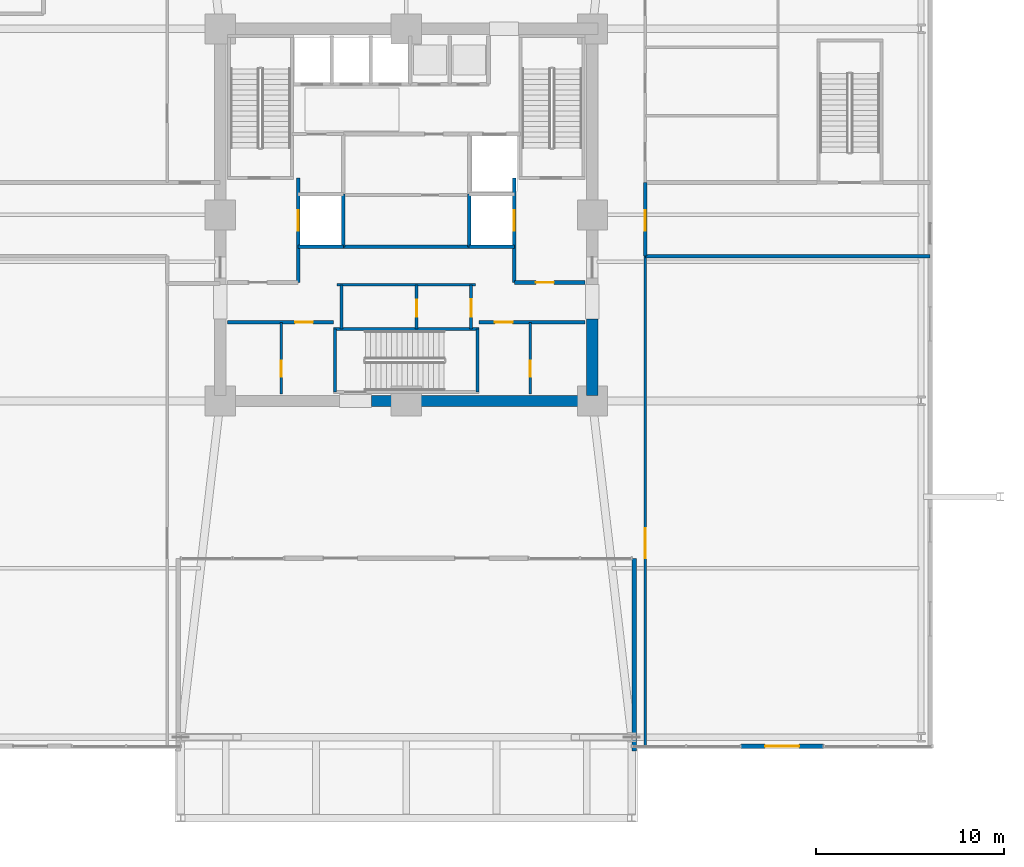
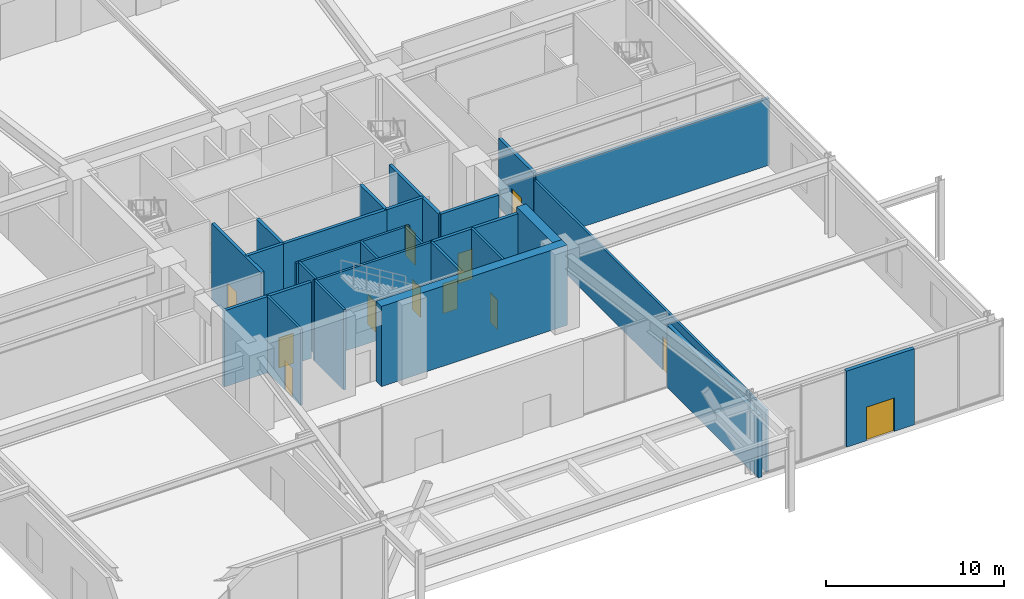
# One storey, part 18 of 24: 26 walls, 12 doors, 12 openings.
"""IFC4 building model written with IfcOpenShell, lengths in metres."""

from ifc_helpers import new_model, si_unit, direction, frame, frame_2d, origin, place, context, subcontext, project, spatial, rectangle, extrude, material, layer, layer_set, type_object, element, fill, save


model = new_model("IFC4")

# Units and contexts
model_context = context("Model", 3, precision=1e-05, world=origin(), true_north=direction((0.0, 1.0)))
body_context = subcontext(model_context, "Body", "Model", "MODEL_VIEW")
ifc_project = project(units=[si_unit("LENGTHUNIT", "METRE"), si_unit("AREAUNIT", "SQUARE_METRE"), si_unit("VOLUMEUNIT", "CUBIC_METRE"), si_unit("PLANEANGLEUNIT", "RADIAN"), si_unit("MASSUNIT", "GRAM", prefix="KILO")], contexts=[model_context])

# Site, building, storey
site_placement = place(None, origin())
site = spatial("IfcSite", under=ifc_project, at=site_placement, CompositionType="ELEMENT")
building_placement = place(site_placement, origin())
building = spatial("IfcBuilding", under=site, at=building_placement, Name="Kolvaren Belvedere", CompositionType="ELEMENT")
storey_placement = place(building_placement, origin())
storey = spatial("IfcBuildingStorey", under=building, at=storey_placement, Name="L01", CompositionType="ELEMENT", Elevation=0.0)

# Walls
ifc_material_1 = material(Name="Concrete C60/75", Category="concrete")
ifc_layer_1 = layer(ifc_material_1, 0.60009765625)
ifc_layer_set_1 = layer_set([ifc_layer_1], Name="Concrete C60/75")
wall_type_1 = type_object("IfcWallType", Name="CW-CORE-600", PredefinedType="SHEAR", material=ifc_layer_set_1)
wall_1_placement = place(storey_placement, frame((10.199951171875, -9.89990234375, 0.0), z_axis=(0.0, 0.0, 1.0), x_axis=(-1.0, 0.0, 0.0)))
element("IfcWall", 1, at=wall_1_placement, inside=storey, type_object=wall_type_1, Name="L01 South Core Shear Wall 1", PredefinedType="SHEAR", context=body_context, shape_type="SweptSolid", body=[
    extrude(rectangle(XDim=12.06005859375, YDim=0.60009765625, at=frame_2d((6.030029296875, 0.0))), origin(), (0.0, 0.0, 1.0), 5.5),
])
wall_2_placement = place(storey_placement, frame((9.89990234375, -9.60009765625, 0.0), z_axis=(0.0, 0.0, 1.0), x_axis=(0.0, 1.0, 0.0)))
element("IfcWall", 2, at=wall_2_placement, inside=storey, type_object=wall_type_1, Name="L01 East Core Shear Wall 1", PredefinedType="SHEAR", context=body_context, shape_type="SweptSolid", body=[
    extrude(rectangle(XDim=4.050048828125, YDim=0.60009765625, at=frame_2d((2.02490234375, 0.0))), origin(), (0.0, 0.0, 1.0), 5.5),
])
ifc_material_2 = material(Name="Concrete C50/60", Category="concrete")
ifc_layer_2 = layer(ifc_material_2, 0.159912109375)
ifc_layer_set_2 = layer_set([ifc_layer_2], Name="Concrete C50/60")
wall_type_2 = type_object("IfcWallType", Name="CW-STAIR-160", PredefinedType="SHEAR", material=ifc_layer_set_2)
wall_3_placement = place(storey_placement, frame((-3.860107421875, -6.080078125, 0.0), z_axis=(0.0, 0.0, 1.0), x_axis=(1.0, 0.0, 0.0)))
element("IfcWall", 3, at=wall_3_placement, inside=storey, type_object=wall_type_2, Name="L01 Stair ST-3 North Shear Wall", PredefinedType="SHEAR", context=body_context, shape_type="SweptSolid", body=[
    extrude(rectangle(XDim=7.72021484375, YDim=0.159912109375, at=frame_2d((3.860107421875, 0.0))), origin(), (0.0, 0.0, 1.0), 5.5),
])
for number, where, z_axis, x_axis, name in (
    (4, (-3.780029296875, -9.429931640625, 0.0), (0.0, 0.0, 1.0), (0.0, 1.0, 0.0), "L01 Stair ST-3 West Shear Wall"),
    (5, (3.780029296875, -9.429931640625, 0.0), (0.0, 0.0, 1.0), (0.0, 1.0, 0.0), "L01 Stair ST-3 East Shear Wall"),
):
    element("IfcWall", number, at=place(storey_placement, frame(where, z_axis=z_axis, x_axis=x_axis)), inside=storey, type_object=wall_type_2, Name=name, PredefinedType="SHEAR", context=body_context, shape_type="SweptSolid", body=[
        extrude(rectangle(XDim=3.349853515625, YDim=0.159912109375, at=frame_2d((1.6748046875, 0.0))), origin(), (0.0, 0.0, 1.0), 5.5),
    ])

# Wall, opening, door
ifc_material_3 = material(Name="Gypsum fire-rated partition assembly", Category="gypsum")
ifc_layer_3 = layer(ifc_material_3, 0.14990234375)
ifc_layer_set_3 = layer_set([ifc_layer_3], Name="Gypsum fire-rated partition assembly")
wall_type_3 = type_object("IfcWallType", Name="WL-CORR-150", PredefinedType="PARTITIONING", material=ifc_layer_set_3)
wall_4_placement = place(storey_placement, frame((12.719970703125, -28.280029296875, 0.0), z_axis=(0.0, 0.0, 1.0), x_axis=(0.0, 1.0, 0.0)))
wall_4 = element("IfcWall", 6, at=wall_4_placement, inside=storey, type_object=wall_type_3, Name="L01 Ticketing West Wall", PredefinedType="PARTITIONING", context=body_context, shape_type="SweptSolid", body=[
    extrude(rectangle(XDim=26.080078125, YDim=0.14990234375, at=frame_2d((13.0400390625, 0.0))), origin(), (0.0, 0.0, 1.0), 4.278076171875),
])
opening_1_placement = place(wall_4_placement, frame((10.0, 0.0, 0.0)))
opening_1 = element("IfcOpeningElement", 7, at=opening_1_placement, cuts=wall_4, Name="Opening D-GL16", PredefinedType="OPENING", context=body_context, shape_type="SweptSolid", body=[
    extrude(rectangle(XDim=1.60009765625, YDim=2.300048828125, at=frame_2d((0.800048828125, 1.14990234375))), frame((0.0, 0.0849609375, 0.0), z_axis=(0.0, -1.0, 0.0), x_axis=(1.0, 0.0, 0.0)), (0.0, 0.0, 1.0), 0.169921875),
])
ifc_material_4 = material(Name="Anodised pale-metal aluminium & safety glass", Category="aluminium")
door_type_1 = type_object("IfcDoorType", Name="DR-GLAZ-1600", OperationType="DOUBLE_DOOR_SINGLE_SWING", PredefinedType="DOOR", material=ifc_material_4)
door_1_placement = place(opening_1_placement, origin())
door_1 = element("IfcDoor", 8, at=door_1_placement, inside=storey, type_object=door_type_1, Name="L01 Observation Ticketing Door", OperationType="DOUBLE_DOOR_SINGLE_SWING", OverallHeight=2.300048828125, OverallWidth=1.60009765625, PredefinedType="DOOR", context=body_context, shape_type="SweptSolid", body=[
    extrude(rectangle(XDim=1.60009765625, YDim=2.300048828125, at=frame_2d((0.800048828125, 1.14990234375))), frame((0.0, 0.02490234375, 0.0), z_axis=(0.0, -1.0, 0.0), x_axis=(1.0, 0.0, 0.0)), (0.0, 0.0, 1.0), 0.050048828125),
])
fill(opening_1, door_1)

# Wall
ifc_material_5 = material(Name="Insulated pale-metal facade wall assembly", Category="aluminium")
ifc_layer_4 = layer(ifc_material_5, 0.239990234375)
ifc_layer_set_4 = layer_set([ifc_layer_4], Name="Insulated pale-metal facade wall assembly")
wall_type_4 = type_object("IfcWallType", Name="WL-EXT-240", PredefinedType="STANDARD", material=ifc_layer_set_4)
wall_5_placement = place(storey_placement, frame((12.1201171875, -28.52001953125, 0.0), z_axis=(0.0, 0.0, 1.0), x_axis=(0.0, 1.0, 0.0)))
element("IfcWall", 9, at=wall_5_placement, inside=storey, type_object=wall_type_4, Name="L01 Serrated Corner Facade Wall 4", PredefinedType="STANDARD", context=body_context, shape_type="SweptSolid", body=[
    extrude(rectangle(XDim=10.239990234375, YDim=0.239990234375, at=frame_2d((5.1201171875, 0.0))), origin(), (0.0, 0.0, 1.0), 4.2880859375),
])

# Wall, opening, door
wall_6_placement = place(storey_placement, frame((22.199951171875, -28.280029296875, 0.0), z_axis=(0.0, 0.0, 1.0), x_axis=(-1.0, 0.0, 0.0)))
wall_6 = element("IfcWall", 10, at=wall_6_placement, inside=storey, type_object=wall_type_4, Name="L01 SE Street Entrance Wall", PredefinedType="STANDARD", context=body_context, shape_type="SweptSolid", body=[
    extrude(rectangle(XDim=4.39990234375, YDim=0.239990234375, at=frame_2d((2.199951171875, 0.0))), origin(), (0.0, 0.0, 1.0), 5.219970703125),
])
opening_2_placement = place(wall_6_placement, frame((1.300048828125, 0.0, 0.0)))
opening_2 = element("IfcOpeningElement", 11, at=opening_2_placement, cuts=wall_6, Name="Opening DE-1800", PredefinedType="OPENING", context=body_context, shape_type="SweptSolid", body=[
    extrude(rectangle(XDim=1.800048828125, YDim=2.300048828125, at=frame_2d((0.89990234375, 1.14990234375))), frame((0.0, 0.1298828125, 0.0), z_axis=(0.0, -1.0, 0.0), x_axis=(1.0, 0.0, 0.0)), (0.0, 0.0, 1.0), 0.260009765625),
])
ifc_material_6 = material(Name="Thermally broken pale-metal aluminium & safety glass", Category="aluminium")
door_type_2 = type_object("IfcDoorType", Name="DR-EXT-1800", OperationType="DOUBLE_DOOR_SINGLE_SWING", PredefinedType="DOOR", material=ifc_material_6)
door_2_placement = place(opening_2_placement, origin())
door_2 = element("IfcDoor", 12, at=door_2_placement, inside=storey, type_object=door_type_2, Name="L01 SE Grand Street Entrance Door", OperationType="DOUBLE_DOOR_SINGLE_SWING", OverallHeight=2.300048828125, OverallWidth=1.800048828125, PredefinedType="DOOR", context=body_context, shape_type="SweptSolid", body=[
    extrude(rectangle(XDim=1.800048828125, YDim=2.300048828125, at=frame_2d((0.89990234375, 1.14990234375))), frame((0.0, 0.02490234375, 0.0), z_axis=(0.0, -1.0, 0.0), x_axis=(1.0, 0.0, 0.0)), (0.0, 0.0, 1.0), 0.050048828125),
])
fill(opening_2, door_2)

ifc_material_7 = material(Name="Gypsum acoustic partition assembly", Category="gypsum")
ifc_layer_5 = layer(ifc_material_7, 0.14990234375)
ifc_layer_set_5 = layer_set([ifc_layer_5], Name="Gypsum acoustic partition assembly")
wall_type_5 = type_object("IfcWallType", Name="WL-PART-150", PredefinedType="PARTITIONING", material=ifc_layer_set_5)
wall_7_placement = place(storey_placement, frame((-6.64990234375, -9.52001953125, 0.0), z_axis=(0.0, 0.0, 1.0), x_axis=(0.0, 1.0, 0.0)))
wall_7 = element("IfcWall", 13, at=wall_7_placement, inside=storey, type_object=wall_type_5, Name="L01 SW Core Divider", PredefinedType="PARTITIONING", context=body_context, shape_type="SweptSolid", body=[
    extrude(rectangle(XDim=3.800048828125, YDim=0.14990234375, at=frame_2d((1.89990234375, 0.0))), origin(), (0.0, 0.0, 1.0), 5.219970703125),
])
opening_3_placement = place(wall_7_placement, frame((0.89990234375, 0.0, 0.0)))
opening_3 = element("IfcOpeningElement", 14, at=opening_3_placement, cuts=wall_7, Name="Opening D-INT85", PredefinedType="OPENING", context=body_context, shape_type="SweptSolid", body=[
    extrude(rectangle(XDim=0.85009765625, YDim=2.030029296875, at=frame_2d((0.425048828125, 1.01513671875))), frame((0.0, 0.0849609375, 0.0), z_axis=(0.0, -1.0, 0.0), x_axis=(1.0, 0.0, 0.0)), (0.0, 0.0, 1.0), 0.169921875),
])
ifc_material_8 = material(Name="Stained Pacific white oak", Category="timber")
door_type_3 = type_object("IfcDoorType", Name="DR-INT-850", OperationType="NOTDEFINED", PredefinedType="DOOR", material=ifc_material_8)
door_3_placement = place(opening_3_placement, origin())
door_3 = element("IfcDoor", 15, at=door_3_placement, inside=storey, type_object=door_type_3, Name="L01 SW Valet Door", OperationType="SINGLE_SWING_RIGHT", OverallHeight=2.030029296875, OverallWidth=0.85009765625, PredefinedType="DOOR", context=body_context, shape_type="SweptSolid", body=[
    extrude(rectangle(XDim=0.85009765625, YDim=2.030029296875, at=frame_2d((0.425048828125, 1.01513671875))), frame((0.0, 0.02490234375, 0.0), z_axis=(0.0, -1.0, 0.0), x_axis=(1.0, 0.0, 0.0)), (0.0, 0.0, 1.0), 0.050048828125),
])
fill(opening_3, door_3)

wall_8_placement = place(storey_placement, frame((6.60009765625, -9.52001953125, 0.0), z_axis=(0.0, 0.0, 1.0), x_axis=(0.0, 1.0, 0.0)))
wall_8 = element("IfcWall", 16, at=wall_8_placement, inside=storey, type_object=wall_type_5, Name="L01 SE Core Divider", PredefinedType="PARTITIONING", context=body_context, shape_type="SweptSolid", body=[
    extrude(rectangle(XDim=3.800048828125, YDim=0.14990234375, at=frame_2d((1.89990234375, 0.0))), origin(), (0.0, 0.0, 1.0), 5.219970703125),
])
opening_4_placement = place(wall_8_placement, frame((0.89990234375, 0.0, 0.0)))
opening_4 = element("IfcOpeningElement", 17, at=opening_4_placement, cuts=wall_8, Name="Opening D-INT85", PredefinedType="OPENING", context=body_context, shape_type="SweptSolid", body=[
    extrude(rectangle(XDim=0.85009765625, YDim=2.030029296875, at=frame_2d((0.425048828125, 1.01513671875))), frame((0.0, 0.0849609375, 0.0), z_axis=(0.0, -1.0, 0.0), x_axis=(1.0, 0.0, 0.0)), (0.0, 0.0, 1.0), 0.169921875),
])
door_4_placement = place(opening_4_placement, origin())
door_4 = element("IfcDoor", 18, at=door_4_placement, inside=storey, type_object=door_type_3, Name="L01 SE Switchboard Door", OperationType="SINGLE_SWING_LEFT", OverallHeight=2.030029296875, OverallWidth=0.85009765625, PredefinedType="DOOR", context=body_context, shape_type="SweptSolid", body=[
    extrude(rectangle(XDim=0.85009765625, YDim=2.030029296875, at=frame_2d((0.425048828125, 1.01513671875))), frame((0.0, 0.02490234375, 0.0), z_axis=(0.0, -1.0, 0.0), x_axis=(1.0, 0.0, 0.0)), (0.0, 0.0, 1.0), 0.050048828125),
])
fill(opening_4, door_4)

# Wall
wall_9_placement = place(storey_placement, frame((-3.679931640625, -3.719970703125, 0.0), z_axis=(0.0, 0.0, 1.0), x_axis=(1.0, 0.0, 0.0)))
element("IfcWall", 19, at=wall_9_placement, inside=storey, type_object=wall_type_5, Name="L01 South Core Service North Wall", PredefinedType="PARTITIONING", context=body_context, shape_type="SweptSolid", body=[
    extrude(rectangle(XDim=7.35986328125, YDim=0.14990234375, at=frame_2d((3.679931640625, 0.0))), origin(), (0.0, 0.0, 1.0), 5.219970703125),
])

# Wall, opening, door
wall_10_placement = place(storey_placement, frame((3.449951171875, -6.080078125, 0.0), z_axis=(0.0, 0.0, 1.0), x_axis=(0.0, 1.0, 0.0)))
wall_10 = element("IfcWall", 20, at=wall_10_placement, inside=storey, type_object=wall_type_5, Name="L01 South Core Service East Wall", PredefinedType="PARTITIONING", context=body_context, shape_type="SweptSolid", body=[
    extrude(rectangle(XDim=2.360107421875, YDim=0.14990234375, at=frame_2d((1.18017578125, 0.0))), origin(), (0.0, 0.0, 1.0), 5.219970703125),
])
opening_5_placement = place(wall_10_placement, frame((0.64990234375, 0.0, 0.0)))
opening_5 = element("IfcOpeningElement", 21, at=opening_5_placement, cuts=wall_10, Name="Opening D-FD60", PredefinedType="OPENING", context=body_context, shape_type="SweptSolid", body=[
    extrude(rectangle(XDim=0.949951171875, YDim=2.06005859375, at=frame_2d((0.47509765625, 1.030029296875))), frame((0.0, 0.0849609375, 0.0), z_axis=(0.0, -1.0, 0.0), x_axis=(1.0, 0.0, 0.0)), (0.0, 0.0, 1.0), 0.169921875),
])
ifc_material_9 = material(Name="Acoustic white-oak fire door leaf", Category="timber")
door_type_4 = type_object("IfcDoorType", Name="DR-FD60-950", OperationType="NOTDEFINED", PredefinedType="DOOR", material=ifc_material_9)
door_5_placement = place(opening_5_placement, origin())
door_5 = element("IfcDoor", 22, at=door_5_placement, inside=storey, type_object=door_type_4, Name="L01 Core Service Room Door", OperationType="SINGLE_SWING_LEFT", OverallHeight=2.06005859375, OverallWidth=0.949951171875, PredefinedType="DOOR", context=body_context, shape_type="SweptSolid", body=[
    extrude(rectangle(XDim=0.949951171875, YDim=2.06005859375, at=frame_2d((0.47509765625, 1.030029296875))), frame((0.0, 0.02490234375, 0.0), z_axis=(0.0, -1.0, 0.0), x_axis=(1.0, 0.0, 0.0)), (0.0, 0.0, 1.0), 0.050048828125),
])
fill(opening_5, door_5)

# Wall
wall_11_placement = place(storey_placement, frame((-3.449951171875, -6.080078125, 0.0), z_axis=(0.0, 0.0, 1.0), x_axis=(0.0, 1.0, 0.0)))
element("IfcWall", 23, at=wall_11_placement, inside=storey, type_object=wall_type_5, Name="L01 South Core Service West Wall", PredefinedType="PARTITIONING", context=body_context, shape_type="SweptSolid", body=[
    extrude(rectangle(XDim=2.360107421875, YDim=0.14990234375, at=frame_2d((1.18017578125, 0.0))), origin(), (0.0, 0.0, 1.0), 5.219970703125),
])

# Wall, opening, door
wall_12_placement = place(storey_placement, frame((0.550048828125, -6.080078125, 0.0), z_axis=(0.0, 0.0, 1.0), x_axis=(0.0, 1.0, 0.0)))
wall_12 = element("IfcWall", 24, at=wall_12_placement, inside=storey, type_object=wall_type_5, Name="L01 Core Service Divider", PredefinedType="PARTITIONING", context=body_context, shape_type="SweptSolid", body=[
    extrude(rectangle(XDim=2.360107421875, YDim=0.14990234375, at=frame_2d((1.18017578125, 0.0))), origin(), (0.0, 0.0, 1.0), 5.219970703125),
])
opening_6_placement = place(wall_12_placement, frame((0.64990234375, 0.0, 0.0)))
opening_6 = element("IfcOpeningElement", 25, at=opening_6_placement, cuts=wall_12, Name="Opening D-INT90", PredefinedType="OPENING", context=body_context, shape_type="SweptSolid", body=[
    extrude(rectangle(XDim=0.89990234375, YDim=2.06005859375, at=frame_2d((0.449951171875, 1.030029296875))), frame((0.0, 0.0849609375, 0.0), z_axis=(0.0, -1.0, 0.0), x_axis=(1.0, 0.0, 0.0)), (0.0, 0.0, 1.0), 0.169921875),
])
ifc_material_10 = material(Name="Stained Pacific white oak", Category="timber")
door_type_5 = type_object("IfcDoorType", Name="DR-INT-900", OperationType="NOTDEFINED", PredefinedType="DOOR", material=ifc_material_10)
door_6_placement = place(opening_6_placement, origin())
door_6 = element("IfcDoor", 26, at=door_6_placement, inside=storey, type_object=door_type_5, Name="L01 BMS Inner Door", OperationType="SINGLE_SWING_LEFT", OverallHeight=2.06005859375, OverallWidth=0.89990234375, PredefinedType="DOOR", context=body_context, shape_type="SweptSolid", body=[
    extrude(rectangle(XDim=0.89990234375, YDim=2.06005859375, at=frame_2d((0.449951171875, 1.030029296875))), frame((0.0, 0.02490234375, 0.0), z_axis=(0.0, -1.0, 0.0), x_axis=(1.0, 0.0, 0.0)), (0.0, 0.0, 1.0), 0.050048828125),
])
fill(opening_6, door_6)

ifc_material_11 = material(Name="Concrete C50/60", Category="concrete")
ifc_layer_6 = layer(ifc_material_11, 0.199951171875)
ifc_layer_set_6 = layer_set([ifc_layer_6], Name="Concrete C50/60")
wall_type_6 = type_object("IfcWallType", Name="WL-SHAFT-200", PredefinedType="SOLIDWALL", material=ifc_layer_set_6)
wall_13_placement = place(storey_placement, frame((-5.75, -3.60009765625, 0.0), z_axis=(0.0, 0.0, 1.0), x_axis=(0.0, 1.0, 0.0)))
wall_13 = element("IfcWall", 27, at=wall_13_placement, inside=storey, type_object=wall_type_6, Name="L01 FSAE FS1 Landing Wall", PredefinedType="SOLIDWALL", context=body_context, shape_type="SweptSolid", body=[
    extrude(rectangle(XDim=5.570068359375, YDim=0.199951171875, at=frame_2d((2.78515625, 0.0))), origin(), (0.0, 0.0, 1.0), 5.219970703125),
])
opening_7_placement = place(wall_13_placement, frame((2.75, 0.0, 0.0)))
opening_7 = element("IfcOpeningElement", 28, at=opening_7_placement, cuts=wall_13, Name="Opening LD-11", PredefinedType="OPENING", context=body_context, shape_type="SweptSolid", body=[
    extrude(rectangle(XDim=1.10009765625, YDim=2.199951171875, at=frame_2d((0.550048828125, 1.10009765625))), frame((0.0, 0.10986328125, 0.0), z_axis=(0.0, -1.0, 0.0), x_axis=(1.0, 0.0, 0.0)), (0.0, 0.0, 1.0), 0.219970703125),
])
ifc_material_12 = material(Name="Brushed stainless steel", Category="steel")
door_type_6 = type_object("IfcDoorType", Name="DR-LIFT-1100", OperationType="DOUBLE_DOOR_SLIDING", PredefinedType="DOOR", material=ifc_material_12)
door_7_placement = place(opening_7_placement, origin())
door_7 = element("IfcDoor", 29, at=door_7_placement, inside=storey, type_object=door_type_6, Name="L01 Firefighting Lift FS1 Landing Door", OperationType="DOUBLE_DOOR_SLIDING", OverallHeight=2.199951171875, OverallWidth=1.10009765625, PredefinedType="DOOR", context=body_context, shape_type="SweptSolid", body=[
    extrude(rectangle(XDim=1.10009765625, YDim=2.199951171875, at=frame_2d((0.550048828125, 1.10009765625))), frame((0.0, 0.02490234375, 0.0), z_axis=(0.0, -1.0, 0.0), x_axis=(1.0, 0.0, 0.0)), (0.0, 0.0, 1.0), 0.050048828125),
])
fill(opening_7, door_7)

# Walls
wall_14_placement = place(storey_placement, frame((-3.35009765625, -1.699951171875, 0.0), z_axis=(0.0, 0.0, 1.0), x_axis=(0.0, 1.0, 0.0)))
element("IfcWall", 30, at=wall_14_placement, inside=storey, type_object=wall_type_6, Name="L01 FSAE FS1 Back Wall", PredefinedType="SOLIDWALL", context=body_context, shape_type="SweptSolid", body=[
    extrude(rectangle(XDim=2.800048828125, YDim=0.199951171875, at=frame_2d((1.39990234375, 0.0))), origin(), (0.0, 0.0, 1.0), 5.219970703125),
])
wall_15_placement = place(storey_placement, frame((-5.75, -1.699951171875, 0.0), z_axis=(0.0, 0.0, 1.0), x_axis=(1.0, 0.0, 0.0)))
element("IfcWall", 31, at=wall_15_placement, inside=storey, type_object=wall_type_6, Name="L01 FSAE FS1 South Wall", PredefinedType="SOLIDWALL", context=body_context, shape_type="SweptSolid", body=[
    extrude(rectangle(XDim=2.39990234375, YDim=0.199951171875, at=frame_2d((1.199951171875, 0.0))), origin(), (0.0, 0.0, 1.0), 5.219970703125),
])

# Wall, opening, door
wall_16_placement = place(storey_placement, frame((5.75, -3.60009765625, 0.0), z_axis=(0.0, 0.0, 1.0), x_axis=(1.0, 0.0, 0.0)))
wall_16 = element("IfcWall", 32, at=wall_16_placement, inside=storey, type_object=wall_type_6, Name="L01 East FSAE Lobby South Wall", PredefinedType="SOLIDWALL", context=body_context, shape_type="SweptSolid", body=[
    extrude(rectangle(XDim=3.77001953125, YDim=0.199951171875, at=frame_2d((1.885009765625, 0.0))), origin(), (0.0, 0.0, 1.0), 5.219970703125),
])
opening_8_placement = place(wall_16_placement, frame((1.14990234375, 0.0, 0.0)))
opening_8 = element("IfcOpeningElement", 33, at=opening_8_placement, cuts=wall_16, Name="Opening D-FD60", PredefinedType="OPENING", context=body_context, shape_type="SweptSolid", body=[
    extrude(rectangle(XDim=0.949951171875, YDim=2.06005859375, at=frame_2d((0.47509765625, 1.030029296875))), frame((0.0, 0.10986328125, 0.0), z_axis=(0.0, -1.0, 0.0), x_axis=(1.0, 0.0, 0.0)), (0.0, 0.0, 1.0), 0.219970703125),
])
door_8_placement = place(opening_8_placement, origin())
door_8 = element("IfcDoor", 34, at=door_8_placement, inside=storey, type_object=door_type_4, Name="L01 SE Lift Lobby Fire Door", OperationType="SINGLE_SWING_RIGHT", OverallHeight=2.06005859375, OverallWidth=0.949951171875, PredefinedType="DOOR", context=body_context, shape_type="SweptSolid", body=[
    extrude(rectangle(XDim=0.949951171875, YDim=2.06005859375, at=frame_2d((0.47509765625, 1.030029296875))), frame((0.0, 0.02490234375, 0.0), z_axis=(0.0, -1.0, 0.0), x_axis=(1.0, 0.0, 0.0)), (0.0, 0.0, 1.0), 0.050048828125),
])
fill(opening_8, door_8)

wall_17_placement = place(storey_placement, frame((5.75, -3.60009765625, 0.0), z_axis=(0.0, 0.0, 1.0), x_axis=(0.0, 1.0, 0.0)))
wall_17 = element("IfcWall", 35, at=wall_17_placement, inside=storey, type_object=wall_type_6, Name="L01 FSAE FS2 Landing Wall", PredefinedType="SOLIDWALL", context=body_context, shape_type="SweptSolid", body=[
    extrude(rectangle(XDim=5.570068359375, YDim=0.199951171875, at=frame_2d((2.78515625, 0.0))), origin(), (0.0, 0.0, 1.0), 5.219970703125),
])
opening_9_placement = place(wall_17_placement, frame((2.75, 0.0, 0.0)))
opening_9 = element("IfcOpeningElement", 36, at=opening_9_placement, cuts=wall_17, Name="Opening LD-11", PredefinedType="OPENING", context=body_context, shape_type="SweptSolid", body=[
    extrude(rectangle(XDim=1.10009765625, YDim=2.199951171875, at=frame_2d((0.550048828125, 1.10009765625))), frame((0.0, 0.10986328125, 0.0), z_axis=(0.0, -1.0, 0.0), x_axis=(1.0, 0.0, 0.0)), (0.0, 0.0, 1.0), 0.219970703125),
])
door_9_placement = place(opening_9_placement, origin())
door_9 = element("IfcDoor", 37, at=door_9_placement, inside=storey, type_object=door_type_6, Name="L01 Firefighting Lift FS2 Landing Door", OperationType="DOUBLE_DOOR_SLIDING", OverallHeight=2.199951171875, OverallWidth=1.10009765625, PredefinedType="DOOR", context=body_context, shape_type="SweptSolid", body=[
    extrude(rectangle(XDim=1.10009765625, YDim=2.199951171875, at=frame_2d((0.550048828125, 1.10009765625))), frame((0.0, 0.02490234375, 0.0), z_axis=(0.0, -1.0, 0.0), x_axis=(1.0, 0.0, 0.0)), (0.0, 0.0, 1.0), 0.050048828125),
])
fill(opening_9, door_9)

# Walls
wall_18_placement = place(storey_placement, frame((3.35009765625, -1.699951171875, 0.0), z_axis=(0.0, 0.0, 1.0), x_axis=(0.0, 1.0, 0.0)))
element("IfcWall", 38, at=wall_18_placement, inside=storey, type_object=wall_type_6, Name="L01 FSAE FS2 Back Wall", PredefinedType="SOLIDWALL", context=body_context, shape_type="SweptSolid", body=[
    extrude(rectangle(XDim=2.800048828125, YDim=0.199951171875, at=frame_2d((1.39990234375, 0.0))), origin(), (0.0, 0.0, 1.0), 5.219970703125),
])
wall_19_placement = place(storey_placement, frame((3.35009765625, -1.699951171875, 0.0), z_axis=(0.0, 0.0, 1.0), x_axis=(1.0, 0.0, 0.0)))
element("IfcWall", 39, at=wall_19_placement, inside=storey, type_object=wall_type_6, Name="L01 FSAE FS2 South Wall", PredefinedType="SOLIDWALL", context=body_context, shape_type="SweptSolid", body=[
    extrude(rectangle(XDim=2.39990234375, YDim=0.199951171875, at=frame_2d((1.199951171875, 0.0))), origin(), (0.0, 0.0, 1.0), 5.219970703125),
])

# Wall, opening, door
wall_20_placement = place(storey_placement, frame((-9.52001953125, -5.719970703125, 0.0), z_axis=(0.0, 0.0, 1.0), x_axis=(1.0, 0.0, 0.0)))
wall_20 = element("IfcWall", 40, at=wall_20_placement, inside=storey, type_object=wall_type_6, Name="L01 SW Core Reserve Wall", PredefinedType="SOLIDWALL", context=body_context, shape_type="SweptSolid", body=[
    extrude(rectangle(XDim=5.659912109375, YDim=0.199951171875, at=frame_2d((2.830078125, 0.0))), origin(), (0.0, 0.0, 1.0), 5.219970703125),
])
opening_10_placement = place(wall_20_placement, frame((3.60009765625, 0.0, 0.0)))
opening_10 = element("IfcOpeningElement", 41, at=opening_10_placement, cuts=wall_20, Name="Opening D-FD60", PredefinedType="OPENING", context=body_context, shape_type="SweptSolid", body=[
    extrude(rectangle(XDim=0.949951171875, YDim=2.06005859375, at=frame_2d((0.47509765625, 1.030029296875))), frame((0.0, 0.10986328125, 0.0), z_axis=(0.0, -1.0, 0.0), x_axis=(1.0, 0.0, 0.0)), (0.0, 0.0, 1.0), 0.219970703125),
])
door_10_placement = place(opening_10_placement, origin())
door_10 = element("IfcDoor", 42, at=door_10_placement, inside=storey, type_object=door_type_4, Name="L01 SW Supply Door", OperationType="SINGLE_SWING_LEFT", OverallHeight=2.06005859375, OverallWidth=0.949951171875, PredefinedType="DOOR", context=body_context, shape_type="SweptSolid", body=[
    extrude(rectangle(XDim=0.949951171875, YDim=2.06005859375, at=frame_2d((0.47509765625, 1.030029296875))), frame((0.0, 0.02490234375, 0.0), z_axis=(0.0, -1.0, 0.0), x_axis=(1.0, 0.0, 0.0)), (0.0, 0.0, 1.0), 0.050048828125),
])
fill(opening_10, door_10)

wall_21_placement = place(storey_placement, frame((3.860107421875, -5.719970703125, 0.0), z_axis=(0.0, 0.0, 1.0), x_axis=(1.0, 0.0, 0.0)))
wall_21 = element("IfcWall", 43, at=wall_21_placement, inside=storey, type_object=wall_type_6, Name="L01 SE Core Distribution Wall", PredefinedType="SOLIDWALL", context=body_context, shape_type="SweptSolid", body=[
    extrude(rectangle(XDim=5.659912109375, YDim=0.199951171875, at=frame_2d((2.830078125, 0.0))), origin(), (0.0, 0.0, 1.0), 5.219970703125),
])
opening_11_placement = place(wall_21_placement, frame((0.85009765625, 0.0, 0.0)))
opening_11 = element("IfcOpeningElement", 44, at=opening_11_placement, cuts=wall_21, Name="Opening D-FD60", PredefinedType="OPENING", context=body_context, shape_type="SweptSolid", body=[
    extrude(rectangle(XDim=0.949951171875, YDim=2.06005859375, at=frame_2d((0.47509765625, 1.030029296875))), frame((0.0, 0.10986328125, 0.0), z_axis=(0.0, -1.0, 0.0), x_axis=(1.0, 0.0, 0.0)), (0.0, 0.0, 1.0), 0.219970703125),
])
door_11_placement = place(opening_11_placement, origin())
door_11 = element("IfcDoor", 45, at=door_11_placement, inside=storey, type_object=door_type_4, Name="L01 SE Telecom Door", OperationType="SINGLE_SWING_RIGHT", OverallHeight=2.06005859375, OverallWidth=0.949951171875, PredefinedType="DOOR", context=body_context, shape_type="SweptSolid", body=[
    extrude(rectangle(XDim=0.949951171875, YDim=2.06005859375, at=frame_2d((0.47509765625, 1.030029296875))), frame((0.0, 0.02490234375, 0.0), z_axis=(0.0, -1.0, 0.0), x_axis=(1.0, 0.0, 0.0)), (0.0, 0.0, 1.0), 0.050048828125),
])
fill(opening_11, door_11)

# Walls
wall_22_placement = place(storey_placement, frame((-3.35009765625, -1.699951171875, 0.0), z_axis=(0.0, 0.0, 1.0), x_axis=(1.0, 0.0, 0.0)))
element("IfcWall", 46, at=wall_22_placement, inside=storey, type_object=wall_type_6, Name="L01 Central Core Room South Wall", PredefinedType="SOLIDWALL", context=body_context, shape_type="SweptSolid", body=[
    extrude(rectangle(XDim=6.7001953125, YDim=0.199951171875, at=frame_2d((3.35009765625, 0.0))), origin(), (0.0, 0.0, 1.0), 5.219970703125),
])
wall_23_placement = place(storey_placement, frame((12.719970703125, -2.199951171875, 0.0), z_axis=(0.0, 0.0, 1.0), x_axis=(1.0, 0.0, 0.0)))
element("IfcWall", 47, at=wall_23_placement, inside=storey, type_object=wall_type_6, Name="L01 East Exit Passage South Fire Wall", PredefinedType="SOLIDWALL", context=body_context, shape_type="SweptSolid", body=[
    extrude(rectangle(XDim=15.159912109375, YDim=0.199951171875, at=frame_2d((7.580078125, 0.0))), origin(), (0.0, 0.0, 1.0), 4.589111328125),
])

# Wall, opening, door
wall_24_placement = place(storey_placement, frame((12.719970703125, -2.199951171875, 0.0), z_axis=(0.0, 0.0, 1.0), x_axis=(0.0, 1.0, 0.0)))
wall_24 = element("IfcWall", 48, at=wall_24_placement, inside=storey, type_object=wall_type_6, Name="L01 East Exit Passage West Fire Wall", PredefinedType="SOLIDWALL", context=body_context, shape_type="SweptSolid", body=[
    extrude(rectangle(XDim=3.919921875, YDim=0.199951171875, at=frame_2d((1.9599609375, 0.0))), origin(), (0.0, 0.0, 1.0), 4.7451171875),
])
opening_12_placement = place(wall_24_placement, frame((1.35009765625, 0.0, 0.0)))
opening_12 = element("IfcOpeningElement", 49, at=opening_12_placement, cuts=wall_24, Name="Opening D-FD90", PredefinedType="OPENING", context=body_context, shape_type="SweptSolid", body=[
    extrude(rectangle(XDim=1.10009765625, YDim=2.199951171875, at=frame_2d((0.550048828125, 1.10009765625))), frame((0.0, 0.10986328125, 0.0), z_axis=(0.0, -1.0, 0.0), x_axis=(1.0, 0.0, 0.0)), (0.0, 0.0, 1.0), 0.219970703125),
])
ifc_material_13 = material(Name="Painted hollow stainless steel", Category="steel")
door_type_7 = type_object("IfcDoorType", Name="DR-FD90-1100", OperationType="NOTDEFINED", PredefinedType="DOOR", material=ifc_material_13)
door_12_placement = place(opening_12_placement, origin())
door_12 = element("IfcDoor", 50, at=door_12_placement, inside=storey, type_object=door_type_7, Name="L01 East Protected Passage Fire Door", OperationType="SINGLE_SWING_RIGHT", OverallHeight=2.199951171875, OverallWidth=1.10009765625, PredefinedType="DOOR", context=body_context, shape_type="SweptSolid", body=[
    extrude(rectangle(XDim=1.10009765625, YDim=2.199951171875, at=frame_2d((0.550048828125, 1.10009765625))), frame((0.0, 0.02490234375, 0.0), z_axis=(0.0, -1.0, 0.0), x_axis=(1.0, 0.0, 0.0)), (0.0, 0.0, 1.0), 0.050048828125),
])
fill(opening_12, door_12)

save(model, "model.ifc")
